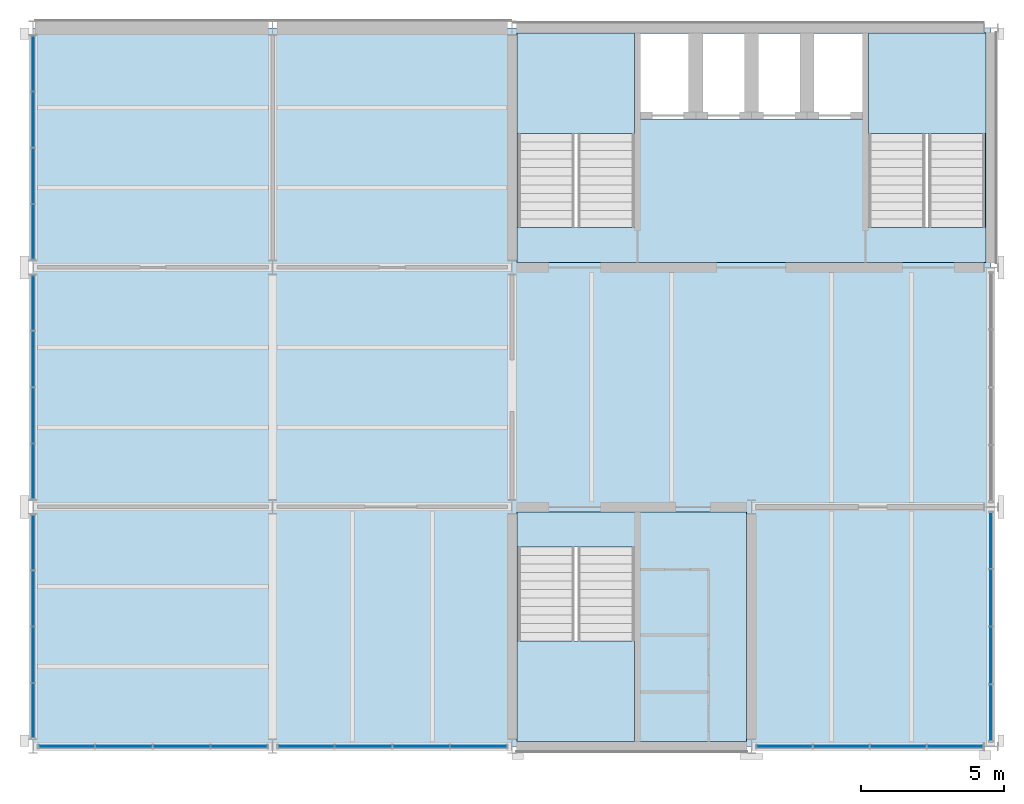
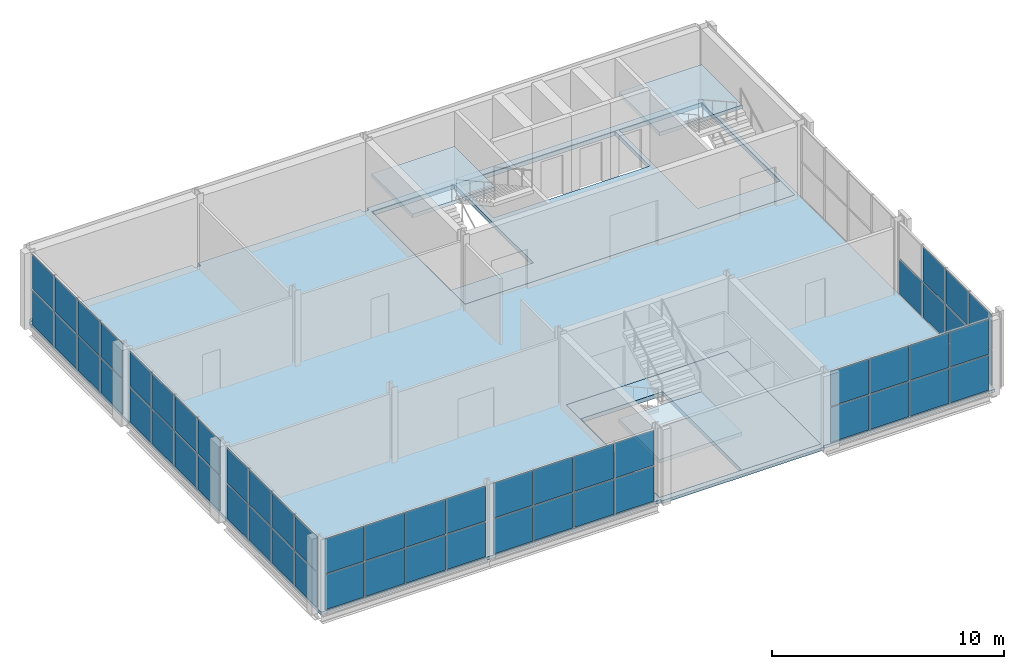
# One storey, part 7 of 12: 55 plates, 6 slabs, 10 elements without a shape of their own.
"""IFC4 building model written with IfcOpenShell, lengths in metres."""

from ifc_helpers import new_model, si_unit, direction, frame, origin, origin_2d, place, context, subcontext, project, spatial, polyline, rectangle, outline, extrude, material, layer, layer_set, type_object, element, aggregate, save


model = new_model("IFC4")

# Units and contexts
model_context = context("Model", 3, precision=1e-05, world=origin(), true_north=direction((0.0, 1.0)))
body_context = subcontext(model_context, "Body", "Model", "MODEL_VIEW")
ifc_project = project(units=[si_unit("LENGTHUNIT", "METRE"), si_unit("AREAUNIT", "SQUARE_METRE"), si_unit("VOLUMEUNIT", "CUBIC_METRE"), si_unit("PLANEANGLEUNIT", "RADIAN"), si_unit("MASSUNIT", "GRAM", prefix="KILO")], contexts=[model_context])

# Site, building, storey
site_placement = place(None, origin())
site = spatial("IfcSite", under=ifc_project, at=site_placement, CompositionType="ELEMENT")
building_placement = place(site_placement, origin())
building = spatial("IfcBuilding", under=site, at=building_placement, Name="Galleria Vessillo Department Store", CompositionType="ELEMENT")
storey_placement = place(building_placement, frame((0.0, 0.0, 39.60009765625)))
storey = spatial("IfcBuildingStorey", under=building, at=storey_placement, Name="L08", CompositionType="ELEMENT", Elevation=39.60009765625)

# Slab
ifc_material_1 = material(Name="Concrete C32/40 composite on steel deck", Category="concrete")
ifc_layer_1 = layer(ifc_material_1, 0.14990234375)
ifc_layer_set_1 = layer_set([ifc_layer_1], Name="Concrete C32/40 composite on steel deck")
slab_type_1 = type_object("IfcSlabType", Name="Composite floor slab 150 mm", PredefinedType="FLOOR", material=ifc_layer_set_1)
slab_1_placement = place(storey_placement, frame((0.0, 0.0, -0.14990234375)))
element("IfcSlab", 1, at=slab_1_placement, inside=storey, type_object=slab_type_1, Name="S-SLAB-L08-FLOOR", PredefinedType="FLOOR", context=body_context, shape_type="SweptSolid", body=[
    extrude(outline(polyline([(100.95068359375, 37.800048828125), (84.0, 37.800048828125), (84.0, 63.0), (84.150634765625, 63.0), (84.150634765625, 63.22509765625), (92.249267578125, 63.22509765625), (92.249267578125, 63.0), (92.550537109375, 63.0), (92.550537109375, 63.22509765625), (100.6494140625, 63.22509765625), (100.6494140625, 63.0), (100.95068359375, 63.0), (100.95068359375, 63.17431640625), (117.349609375, 63.17431640625), (117.349609375, 63.0), (117.60009765625, 63.0), (117.60009765625, 37.800048828125), (109.04931640625, 37.800048828125), (109.04931640625, 37.699951171875), (100.95068359375, 37.699951171875), (100.95068359375, 37.800048828125)]), holes=[polyline([(109.02490234375, 37.97509765625), (109.02490234375, 46.02490234375), (100.97509765625, 46.02490234375), (100.97509765625, 37.97509765625), (109.02490234375, 37.97509765625)]), polyline([(117.425048828125, 54.775146484375), (117.425048828125, 62.824951171875), (100.97509765625, 62.824951171875), (100.97509765625, 54.775146484375), (117.425048828125, 54.775146484375)])]), origin(), (0.0, 0.0, 1.0), 0.14990234375),
])

# Curtain wall, plates
ifc_material_2 = material(Name="Aluminium and glass curtain wall", Category="aluminium")
ifc_layer_2 = layer(ifc_material_2, 0.159912109375)
ifc_layer_set_2 = layer_set([ifc_layer_2], Name="Aluminium and glass curtain wall")
curtain_wall_type = type_object("IfcCurtainWallType", Name="Tower curtain wall CW4 2100 module", PredefinedType="NOTDEFINED", material=ifc_layer_set_2)
curtain_wall_1_placement = place(storey_placement, origin())
curtain_wall_1 = element("IfcCurtainWall", 2, at=curtain_wall_1_placement, inside=storey, type_object=curtain_wall_type, Name="Tower curtain wall CW4 2100 module TW-L08-01", PredefinedType="NOTDEFINED")
ifc_material_3 = material(Name="Glass laminated 44.2 low-e", Category="glass")
ifc_layer_3 = layer(ifc_material_3, 0.028076171875)
ifc_layer_set_3 = layer_set([ifc_layer_3], Name="Glass laminated 44.2 low-e")
plate_type_1 = type_object("IfcPlateType", Name="Laminated glass panel 28 mm", PredefinedType="CURTAIN_PANEL", material=ifc_layer_set_3)
plate_1_placement = place(storey_placement, frame((84.0, 39.052490234375, 1.955078125), z_axis=(0.0, 0.0, 1.0), x_axis=(0.0, 1.0, 0.0)))
plate_1 = element("IfcPlate", 3, at=plate_1_placement, type_object=plate_type_1, Name="CW4 panel 1.2", PredefinedType="CURTAIN_PANEL", context=body_context, shape_type="SweptSolid", body=[
    extrude(rectangle(XDim=1.885009765625, YDim=0.028076171875, at=origin_2d()), origin(), (0.0, 0.0, 1.0), 1.835205078125),
])
plate_2_placement = place(storey_placement, frame((84.0, 41.012451171875, 1.955078125), z_axis=(0.0, 0.0, 1.0), x_axis=(0.0, 1.0, 0.0)))
plate_2 = element("IfcPlate", 4, at=plate_2_placement, type_object=plate_type_1, Name="CW4 panel 2.2", PredefinedType="CURTAIN_PANEL", context=body_context, shape_type="SweptSolid", body=[
    extrude(rectangle(XDim=1.9150390625, YDim=0.028076171875, at=origin_2d()), origin(), (0.0, 0.0, 1.0), 1.835205078125),
])
plate_3_placement = place(storey_placement, frame((84.0, 42.987548828125, 1.955078125), z_axis=(0.0, 0.0, 1.0), x_axis=(0.0, 1.0, 0.0)))
plate_3 = element("IfcPlate", 5, at=plate_3_placement, type_object=plate_type_1, Name="CW4 panel 3.2", PredefinedType="CURTAIN_PANEL", context=body_context, shape_type="SweptSolid", body=[
    extrude(rectangle(XDim=1.9150390625, YDim=0.028076171875, at=origin_2d()), origin(), (0.0, 0.0, 1.0), 1.835205078125),
])
plate_4_placement = place(storey_placement, frame((84.0, 44.947509765625, 1.955078125), z_axis=(0.0, 0.0, 1.0), x_axis=(0.0, 1.0, 0.0)))
plate_4 = element("IfcPlate", 6, at=plate_4_placement, type_object=plate_type_1, Name="CW4 panel 4.2", PredefinedType="CURTAIN_PANEL", context=body_context, shape_type="SweptSolid", body=[
    extrude(rectangle(XDim=1.885009765625, YDim=0.028076171875, at=origin_2d()), origin(), (0.0, 0.0, 1.0), 1.835205078125),
])

curtain_wall_2_placement = place(storey_placement, origin())
curtain_wall_2 = element("IfcCurtainWall", 7, at=curtain_wall_2_placement, inside=storey, type_object=curtain_wall_type, Name="Tower curtain wall CW4 2100 module TW-L08-02", PredefinedType="NOTDEFINED")
plate_5_placement = place(storey_placement, frame((84.0, 47.452392578125, 1.955078125), z_axis=(0.0, 0.0, 1.0), x_axis=(0.0, 1.0, 0.0)))
plate_5 = element("IfcPlate", 8, at=plate_5_placement, type_object=plate_type_1, Name="CW4 panel 1.2", PredefinedType="CURTAIN_PANEL", context=body_context, shape_type="SweptSolid", body=[
    extrude(rectangle(XDim=1.885009765625, YDim=0.028076171875, at=origin_2d()), origin(), (0.0, 0.0, 1.0), 1.835205078125),
])
plate_6_placement = place(storey_placement, frame((84.0, 49.41259765625, 1.955078125), z_axis=(0.0, 0.0, 1.0), x_axis=(0.0, 1.0, 0.0)))
plate_6 = element("IfcPlate", 9, at=plate_6_placement, type_object=plate_type_1, Name="CW4 panel 2.2", PredefinedType="CURTAIN_PANEL", context=body_context, shape_type="SweptSolid", body=[
    extrude(rectangle(XDim=1.9150390625, YDim=0.028076171875, at=origin_2d()), origin(), (0.0, 0.0, 1.0), 1.835205078125),
])
plate_7_placement = place(storey_placement, frame((84.0, 51.387451171875, 1.955078125), z_axis=(0.0, 0.0, 1.0), x_axis=(0.0, 1.0, 0.0)))
plate_7 = element("IfcPlate", 10, at=plate_7_placement, type_object=plate_type_1, Name="CW4 panel 3.2", PredefinedType="CURTAIN_PANEL", context=body_context, shape_type="SweptSolid", body=[
    extrude(rectangle(XDim=1.9150390625, YDim=0.028076171875, at=origin_2d()), origin(), (0.0, 0.0, 1.0), 1.835205078125),
])
plate_8_placement = place(storey_placement, frame((84.0, 53.34765625, 1.955078125), z_axis=(0.0, 0.0, 1.0), x_axis=(0.0, 1.0, 0.0)))
plate_8 = element("IfcPlate", 11, at=plate_8_placement, type_object=plate_type_1, Name="CW4 panel 4.2", PredefinedType="CURTAIN_PANEL", context=body_context, shape_type="SweptSolid", body=[
    extrude(rectangle(XDim=1.885009765625, YDim=0.028076171875, at=origin_2d()), origin(), (0.0, 0.0, 1.0), 1.835205078125),
])

curtain_wall_3_placement = place(storey_placement, origin())
curtain_wall_3 = element("IfcCurtainWall", 12, at=curtain_wall_3_placement, inside=storey, type_object=curtain_wall_type, Name="Tower curtain wall CW4 2100 module TW-L08-03", PredefinedType="NOTDEFINED")
plate_9_placement = place(storey_placement, frame((84.0, 55.8525390625, 1.955078125), z_axis=(0.0, 0.0, 1.0), x_axis=(0.0, 1.0, 0.0)))
plate_9 = element("IfcPlate", 13, at=plate_9_placement, type_object=plate_type_1, Name="CW4 panel 1.2", PredefinedType="CURTAIN_PANEL", context=body_context, shape_type="SweptSolid", body=[
    extrude(rectangle(XDim=1.885009765625, YDim=0.028076171875, at=origin_2d()), origin(), (0.0, 0.0, 1.0), 1.835205078125),
])
plate_10_placement = place(storey_placement, frame((84.0, 57.8125, 1.955078125), z_axis=(0.0, 0.0, 1.0), x_axis=(0.0, 1.0, 0.0)))
plate_10 = element("IfcPlate", 14, at=plate_10_placement, type_object=plate_type_1, Name="CW4 panel 2.2", PredefinedType="CURTAIN_PANEL", context=body_context, shape_type="SweptSolid", body=[
    extrude(rectangle(XDim=1.9150390625, YDim=0.028076171875, at=origin_2d()), origin(), (0.0, 0.0, 1.0), 1.835205078125),
])
plate_11_placement = place(storey_placement, frame((84.0, 59.78759765625, 1.955078125), z_axis=(0.0, 0.0, 1.0), x_axis=(0.0, 1.0, 0.0)))
plate_11 = element("IfcPlate", 15, at=plate_11_placement, type_object=plate_type_1, Name="CW4 panel 3.2", PredefinedType="CURTAIN_PANEL", context=body_context, shape_type="SweptSolid", body=[
    extrude(rectangle(XDim=1.9150390625, YDim=0.028076171875, at=origin_2d()), origin(), (0.0, 0.0, 1.0), 1.835205078125),
])
plate_12_placement = place(storey_placement, frame((84.0, 61.74755859375, 1.955078125), z_axis=(0.0, 0.0, 1.0), x_axis=(0.0, 1.0, 0.0)))
plate_12 = element("IfcPlate", 16, at=plate_12_placement, type_object=plate_type_1, Name="CW4 panel 4.2", PredefinedType="CURTAIN_PANEL", context=body_context, shape_type="SweptSolid", body=[
    extrude(rectangle(XDim=1.885009765625, YDim=0.028076171875, at=origin_2d()), origin(), (0.0, 0.0, 1.0), 1.835205078125),
])

curtain_wall_4_placement = place(storey_placement, origin())
curtain_wall_4 = element("IfcCurtainWall", 17, at=curtain_wall_4_placement, inside=storey, type_object=curtain_wall_type, Name="Tower curtain wall CW4 2100 module TS-L08-01", PredefinedType="NOTDEFINED")
plate_13_placement = place(storey_placement, frame((85.177490234375, 37.800048828125, 1.955078125), z_axis=(0.0, 0.0, 1.0), x_axis=(1.0, 0.0, 0.0)))
plate_13 = element("IfcPlate", 18, at=plate_13_placement, type_object=plate_type_1, Name="CW4 panel 1.2", PredefinedType="CURTAIN_PANEL", context=body_context, shape_type="SweptSolid", body=[
    extrude(rectangle(XDim=1.93505859375, YDim=0.028076171875, at=origin_2d()), origin(), (0.0, 0.0, 1.0), 1.835205078125),
])
plate_14_placement = place(storey_placement, frame((87.1875, 37.800048828125, 1.955078125), z_axis=(0.0, 0.0, 1.0), x_axis=(1.0, 0.0, 0.0)))
plate_14 = element("IfcPlate", 19, at=plate_14_placement, type_object=plate_type_1, Name="CW4 panel 2.2", PredefinedType="CURTAIN_PANEL", context=body_context, shape_type="SweptSolid", body=[
    extrude(rectangle(XDim=1.965087890625, YDim=0.028076171875, at=origin_2d()), origin(), (0.0, 0.0, 1.0), 1.835205078125),
])
plate_15_placement = place(storey_placement, frame((89.21240234375, 37.800048828125, 1.955078125), z_axis=(0.0, 0.0, 1.0), x_axis=(1.0, 0.0, 0.0)))
plate_15 = element("IfcPlate", 20, at=plate_15_placement, type_object=plate_type_1, Name="CW4 panel 3.2", PredefinedType="CURTAIN_PANEL", context=body_context, shape_type="SweptSolid", body=[
    extrude(rectangle(XDim=1.965087890625, YDim=0.028076171875, at=origin_2d()), origin(), (0.0, 0.0, 1.0), 1.835205078125),
])
plate_16_placement = place(storey_placement, frame((91.222412109375, 37.800048828125, 1.955078125), z_axis=(0.0, 0.0, 1.0), x_axis=(1.0, 0.0, 0.0)))
plate_16 = element("IfcPlate", 21, at=plate_16_placement, type_object=plate_type_1, Name="CW4 panel 4.2", PredefinedType="CURTAIN_PANEL", context=body_context, shape_type="SweptSolid", body=[
    extrude(rectangle(XDim=1.93505859375, YDim=0.028076171875, at=origin_2d()), origin(), (0.0, 0.0, 1.0), 1.835205078125),
])

curtain_wall_5_placement = place(storey_placement, origin())
curtain_wall_5 = element("IfcCurtainWall", 22, at=curtain_wall_5_placement, inside=storey, type_object=curtain_wall_type, Name="Tower curtain wall CW4 2100 module TS-L08-02", PredefinedType="NOTDEFINED")
plate_17_placement = place(storey_placement, frame((93.577392578125, 37.800048828125, 1.955078125), z_axis=(0.0, 0.0, 1.0), x_axis=(1.0, 0.0, 0.0)))
plate_17 = element("IfcPlate", 23, at=plate_17_placement, type_object=plate_type_1, Name="CW4 panel 1.2", PredefinedType="CURTAIN_PANEL", context=body_context, shape_type="SweptSolid", body=[
    extrude(rectangle(XDim=1.93505859375, YDim=0.028076171875, at=origin_2d()), origin(), (0.0, 0.0, 1.0), 1.835205078125),
])
plate_18_placement = place(storey_placement, frame((95.58740234375, 37.800048828125, 1.955078125), z_axis=(0.0, 0.0, 1.0), x_axis=(1.0, 0.0, 0.0)))
plate_18 = element("IfcPlate", 24, at=plate_18_placement, type_object=plate_type_1, Name="CW4 panel 2.2", PredefinedType="CURTAIN_PANEL", context=body_context, shape_type="SweptSolid", body=[
    extrude(rectangle(XDim=1.965087890625, YDim=0.028076171875, at=origin_2d()), origin(), (0.0, 0.0, 1.0), 1.835205078125),
])
plate_19_placement = place(storey_placement, frame((97.612548828125, 37.800048828125, 1.955078125), z_axis=(0.0, 0.0, 1.0), x_axis=(1.0, 0.0, 0.0)))
plate_19 = element("IfcPlate", 25, at=plate_19_placement, type_object=plate_type_1, Name="CW4 panel 3.2", PredefinedType="CURTAIN_PANEL", context=body_context, shape_type="SweptSolid", body=[
    extrude(rectangle(XDim=1.965087890625, YDim=0.028076171875, at=origin_2d()), origin(), (0.0, 0.0, 1.0), 1.835205078125),
])
plate_20_placement = place(storey_placement, frame((99.62255859375, 37.800048828125, 1.955078125), z_axis=(0.0, 0.0, 1.0), x_axis=(1.0, 0.0, 0.0)))
plate_20 = element("IfcPlate", 26, at=plate_20_placement, type_object=plate_type_1, Name="CW4 panel 4.2", PredefinedType="CURTAIN_PANEL", context=body_context, shape_type="SweptSolid", body=[
    extrude(rectangle(XDim=1.93505859375, YDim=0.028076171875, at=origin_2d()), origin(), (0.0, 0.0, 1.0), 1.835205078125),
])

curtain_wall_6_placement = place(storey_placement, origin())
curtain_wall_6 = element("IfcCurtainWall", 27, at=curtain_wall_6_placement, inside=storey, type_object=curtain_wall_type, Name="Tower curtain wall CW4 2100 module TS-L08-03", PredefinedType="NOTDEFINED")
plate_21_placement = place(storey_placement, frame((110.364990234375, 37.800048828125, 1.955078125), z_axis=(0.0, 0.0, 1.0), x_axis=(1.0, 0.0, 0.0)))
plate_21 = element("IfcPlate", 28, at=plate_21_placement, type_object=plate_type_1, Name="CW4 panel 1.2", PredefinedType="CURTAIN_PANEL", context=body_context, shape_type="SweptSolid", body=[
    extrude(rectangle(XDim=1.91015625, YDim=0.028076171875, at=origin_2d()), origin(), (0.0, 0.0, 1.0), 1.835205078125),
])
plate_22_placement = place(storey_placement, frame((112.349853515625, 37.800048828125, 1.955078125), z_axis=(0.0, 0.0, 1.0), x_axis=(1.0, 0.0, 0.0)))
plate_22 = element("IfcPlate", 29, at=plate_22_placement, type_object=plate_type_1, Name="CW4 panel 2.2", PredefinedType="CURTAIN_PANEL", context=body_context, shape_type="SweptSolid", body=[
    extrude(rectangle(XDim=1.93994140625, YDim=0.028076171875, at=origin_2d()), origin(), (0.0, 0.0, 1.0), 1.835205078125),
])
plate_23_placement = place(storey_placement, frame((114.35009765625, 37.800048828125, 1.955078125), z_axis=(0.0, 0.0, 1.0), x_axis=(1.0, 0.0, 0.0)))
plate_23 = element("IfcPlate", 30, at=plate_23_placement, type_object=plate_type_1, Name="CW4 panel 3.2", PredefinedType="CURTAIN_PANEL", context=body_context, shape_type="SweptSolid", body=[
    extrude(rectangle(XDim=1.93994140625, YDim=0.028076171875, at=origin_2d()), origin(), (0.0, 0.0, 1.0), 1.835205078125),
])
plate_24_placement = place(storey_placement, frame((116.3349609375, 37.800048828125, 1.955078125), z_axis=(0.0, 0.0, 1.0), x_axis=(1.0, 0.0, 0.0)))
plate_24 = element("IfcPlate", 31, at=plate_24_placement, type_object=plate_type_1, Name="CW4 panel 4.2", PredefinedType="CURTAIN_PANEL", context=body_context, shape_type="SweptSolid", body=[
    extrude(rectangle(XDim=1.91015625, YDim=0.028076171875, at=origin_2d()), origin(), (0.0, 0.0, 1.0), 1.835205078125),
])

curtain_wall_7_placement = place(storey_placement, origin())
curtain_wall_7 = element("IfcCurtainWall", 32, at=curtain_wall_7_placement, inside=storey, type_object=curtain_wall_type, Name="Tower curtain wall CW4 2100 module TE-L08-01", PredefinedType="NOTDEFINED")
plate_25_placement = place(storey_placement, frame((117.60009765625, 38.9775390625, 1.955078125), z_axis=(0.0, 0.0, 1.0), x_axis=(0.0, 1.0, 0.0)))
plate_25 = element("IfcPlate", 33, at=plate_25_placement, type_object=plate_type_1, Name="CW4 panel 1.2", PredefinedType="CURTAIN_PANEL", context=body_context, shape_type="SweptSolid", body=[
    extrude(rectangle(XDim=1.93505859375, YDim=0.028076171875, at=origin_2d()), origin(), (0.0, 0.0, 1.0), 1.835205078125),
])
plate_26_placement = place(storey_placement, frame((117.60009765625, 40.987548828125, 1.955078125), z_axis=(0.0, 0.0, 1.0), x_axis=(0.0, 1.0, 0.0)))
plate_26 = element("IfcPlate", 34, at=plate_26_placement, type_object=plate_type_1, Name="CW4 panel 2.2", PredefinedType="CURTAIN_PANEL", context=body_context, shape_type="SweptSolid", body=[
    extrude(rectangle(XDim=1.965087890625, YDim=0.028076171875, at=origin_2d()), origin(), (0.0, 0.0, 1.0), 1.835205078125),
])
plate_27_placement = place(storey_placement, frame((117.60009765625, 43.012451171875, 1.955078125), z_axis=(0.0, 0.0, 1.0), x_axis=(0.0, 1.0, 0.0)))
plate_27 = element("IfcPlate", 35, at=plate_27_placement, type_object=plate_type_1, Name="CW4 panel 3.2", PredefinedType="CURTAIN_PANEL", context=body_context, shape_type="SweptSolid", body=[
    extrude(rectangle(XDim=1.965087890625, YDim=0.028076171875, at=origin_2d()), origin(), (0.0, 0.0, 1.0), 1.835205078125),
])

# Slabs
ifc_material_4 = material(Name="Concrete C32/40 reinforced", Category="concrete")
ifc_layer_4 = layer(ifc_material_4, 0.219970703125)
ifc_layer_set_4 = layer_set([ifc_layer_4], Name="Concrete C32/40 reinforced")
slab_type_2 = type_object("IfcSlabType", Name="Reinforced concrete core floor slab 220 mm", PredefinedType="FLOOR", material=ifc_layer_set_4)
slab_2_placement = place(storey_placement, frame((0.0, 0.0, -0.219970703125)))
element("IfcSlab", 36, at=slab_2_placement, inside=storey, type_object=slab_type_2, Name="S-SLAB-L08-CORE-TC", PredefinedType="FLOOR", context=body_context, shape_type="SweptSolid", body=[
    extrude(outline(polyline([(100.97509765625, 54.775146484375), (100.97509765625, 62.824951171875), (117.425048828125, 62.824951171875), (117.425048828125, 54.775146484375), (100.97509765625, 54.775146484375)]), holes=[polyline([(105.10009765625, 56.0), (105.10009765625, 62.800048828125), (101.0, 62.800048828125), (101.0, 56.0), (105.10009765625, 56.0)]), polyline([(113.300048828125, 56.0), (117.39990234375, 56.0), (117.39990234375, 62.800048828125), (113.300048828125, 62.800048828125), (113.300048828125, 56.0)]), polyline([(105.300048828125, 59.800048828125), (113.10009765625, 59.800048828125), (113.10009765625, 62.800048828125), (105.300048828125, 62.800048828125), (105.300048828125, 59.800048828125)])]), origin(), (0.0, 0.0, 1.0), 0.219970703125),
])
slab_3_placement = place(storey_placement, frame((0.0, 0.0, -0.219970703125)))
element("IfcSlab", 37, at=slab_3_placement, inside=storey, type_object=slab_type_2, Name="S-SLAB-L08-CORE-TS", PredefinedType="FLOOR", context=body_context, shape_type="SweptSolid", body=[
    extrude(outline(polyline([(100.97509765625, 37.97509765625), (100.97509765625, 46.02490234375), (109.02490234375, 46.02490234375), (109.02490234375, 37.97509765625), (100.97509765625, 37.97509765625)]), holes=[polyline([(105.10009765625, 44.800048828125), (101.0, 44.800048828125), (101.0, 38.0), (105.10009765625, 38.0), (105.10009765625, 44.800048828125)])]), origin(), (0.0, 0.0, 1.0), 0.219970703125),
])

# Stair, slab
ifc_material_5 = material(Name="Concrete C32/40", Category="concrete")
stair_type = type_object("IfcStairType", Name="Half-turn escape stair 2000 mm, 24 risers of 167 mm", PredefinedType="HALF_TURN_STAIR", material=ifc_material_5)
stair_1_placement = place(storey_placement, origin())
stair_1 = element("IfcStair", 38, at=stair_1_placement, inside=storey, type_object=stair_type, Name="Stair ST8 L08", PredefinedType="HALF_TURN_STAIR")
ifc_material_6 = material(Name="Concrete C32/40", Category="concrete")
ifc_layer_5 = layer(ifc_material_6, 0.199951171875)
ifc_layer_set_5 = layer_set([ifc_layer_5], Name="Concrete C32/40")
slab_type_3 = type_object("IfcSlabType", Name="Stair half landing 4125 x 3525 mm", PredefinedType="LANDING", material=ifc_layer_set_5)
slab_4_placement = place(storey_placement, frame((0.0, 0.0, 1.800048828125)))
slab_4 = element("IfcSlab", 39, at=slab_4_placement, type_object=slab_type_3, Name="ST8 landing 1", PredefinedType="LANDING", context=body_context, shape_type="SweptSolid", body=[
    extrude(outline(polyline([(100.97509765625, 59.300048828125), (100.97509765625, 62.824951171875), (105.10009765625, 62.824951171875), (105.10009765625, 59.300048828125), (100.97509765625, 59.300048828125)])), origin(), (0.0, 0.0, 1.0), 0.199951171875),
])
aggregate(stair_1, [slab_4])

stair_2_placement = place(storey_placement, origin())
stair_2 = element("IfcStair", 40, at=stair_2_placement, inside=storey, type_object=stair_type, Name="Stair ST9 L08", PredefinedType="HALF_TURN_STAIR")
slab_5_placement = place(storey_placement, frame((0.0, 0.0, 1.800048828125)))
slab_5 = element("IfcSlab", 41, at=slab_5_placement, type_object=slab_type_3, Name="ST9 landing 1", PredefinedType="LANDING", context=body_context, shape_type="SweptSolid", body=[
    extrude(outline(polyline([(113.300048828125, 59.300048828125), (113.300048828125, 62.824951171875), (117.425048828125, 62.824951171875), (117.425048828125, 59.300048828125), (113.300048828125, 59.300048828125)])), origin(), (0.0, 0.0, 1.0), 0.199951171875),
])
aggregate(stair_2, [slab_5])

stair_3_placement = place(storey_placement, origin())
stair_3 = element("IfcStair", 42, at=stair_3_placement, inside=storey, type_object=stair_type, Name="Stair ST12 L08", PredefinedType="HALF_TURN_STAIR")
slab_6_placement = place(storey_placement, frame((0.0, 0.0, 1.800048828125)))
slab_6 = element("IfcSlab", 43, at=slab_6_placement, type_object=slab_type_3, Name="ST12 landing 1", PredefinedType="LANDING", context=body_context, shape_type="SweptSolid", body=[
    extrude(outline(polyline([(100.97509765625, 37.97509765625), (100.97509765625, 41.5), (105.10009765625, 41.5), (105.10009765625, 37.97509765625), (100.97509765625, 37.97509765625)])), origin(), (0.0, 0.0, 1.0), 0.199951171875),
])
aggregate(stair_3, [slab_6])

# Plate
ifc_material_7 = material(Name="Limestone spandrel on aluminium tray", Category="masonry")
ifc_layer_6 = layer(ifc_material_7, 0.028076171875)
ifc_layer_set_6 = layer_set([ifc_layer_6], Name="Limestone spandrel on aluminium tray")
plate_type_2 = type_object("IfcPlateType", Name="Stone spandrel panel 28 mm", PredefinedType="CURTAIN_PANEL", material=ifc_layer_set_6)
plate_28_placement = place(storey_placement, frame((84.0, 39.052490234375, 0.06005859375), z_axis=(0.0, 0.0, 1.0), x_axis=(0.0, 1.0, 0.0)))
plate_28 = element("IfcPlate", 44, at=plate_28_placement, type_object=plate_type_2, Name="CW4 panel 1.1", PredefinedType="CURTAIN_PANEL", context=body_context, shape_type="SweptSolid", body=[
    extrude(rectangle(XDim=1.885009765625, YDim=0.028076171875, at=origin_2d()), origin(), (0.0, 0.0, 1.0), 1.8349609375),
])

plate_29_placement = place(storey_placement, frame((84.0, 41.012451171875, 0.06005859375), z_axis=(0.0, 0.0, 1.0), x_axis=(0.0, 1.0, 0.0)))
plate_29 = element("IfcPlate", 45, at=plate_29_placement, type_object=plate_type_2, Name="CW4 panel 2.1", PredefinedType="CURTAIN_PANEL", context=body_context, shape_type="SweptSolid", body=[
    extrude(rectangle(XDim=1.9150390625, YDim=0.028076171875, at=origin_2d()), origin(), (0.0, 0.0, 1.0), 1.8349609375),
])

plate_30_placement = place(storey_placement, frame((84.0, 42.987548828125, 0.06005859375), z_axis=(0.0, 0.0, 1.0), x_axis=(0.0, 1.0, 0.0)))
plate_30 = element("IfcPlate", 46, at=plate_30_placement, type_object=plate_type_2, Name="CW4 panel 3.1", PredefinedType="CURTAIN_PANEL", context=body_context, shape_type="SweptSolid", body=[
    extrude(rectangle(XDim=1.9150390625, YDim=0.028076171875, at=origin_2d()), origin(), (0.0, 0.0, 1.0), 1.8349609375),
])

plate_31_placement = place(storey_placement, frame((84.0, 44.947509765625, 0.06005859375), z_axis=(0.0, 0.0, 1.0), x_axis=(0.0, 1.0, 0.0)))
plate_31 = element("IfcPlate", 47, at=plate_31_placement, type_object=plate_type_2, Name="CW4 panel 4.1", PredefinedType="CURTAIN_PANEL", context=body_context, shape_type="SweptSolid", body=[
    extrude(rectangle(XDim=1.885009765625, YDim=0.028076171875, at=origin_2d()), origin(), (0.0, 0.0, 1.0), 1.8349609375),
])

aggregate(curtain_wall_1, [plate_28, plate_1, plate_29, plate_2, plate_30, plate_3, plate_31, plate_4])

plate_32_placement = place(storey_placement, frame((84.0, 47.452392578125, 0.06005859375), z_axis=(0.0, 0.0, 1.0), x_axis=(0.0, 1.0, 0.0)))
plate_32 = element("IfcPlate", 48, at=plate_32_placement, type_object=plate_type_2, Name="CW4 panel 1.1", PredefinedType="CURTAIN_PANEL", context=body_context, shape_type="SweptSolid", body=[
    extrude(rectangle(XDim=1.885009765625, YDim=0.028076171875, at=origin_2d()), origin(), (0.0, 0.0, 1.0), 1.8349609375),
])

plate_33_placement = place(storey_placement, frame((84.0, 49.41259765625, 0.06005859375), z_axis=(0.0, 0.0, 1.0), x_axis=(0.0, 1.0, 0.0)))
plate_33 = element("IfcPlate", 49, at=plate_33_placement, type_object=plate_type_2, Name="CW4 panel 2.1", PredefinedType="CURTAIN_PANEL", context=body_context, shape_type="SweptSolid", body=[
    extrude(rectangle(XDim=1.9150390625, YDim=0.028076171875, at=origin_2d()), origin(), (0.0, 0.0, 1.0), 1.8349609375),
])

plate_34_placement = place(storey_placement, frame((84.0, 51.387451171875, 0.06005859375), z_axis=(0.0, 0.0, 1.0), x_axis=(0.0, 1.0, 0.0)))
plate_34 = element("IfcPlate", 50, at=plate_34_placement, type_object=plate_type_2, Name="CW4 panel 3.1", PredefinedType="CURTAIN_PANEL", context=body_context, shape_type="SweptSolid", body=[
    extrude(rectangle(XDim=1.9150390625, YDim=0.028076171875, at=origin_2d()), origin(), (0.0, 0.0, 1.0), 1.8349609375),
])

plate_35_placement = place(storey_placement, frame((84.0, 53.34765625, 0.06005859375), z_axis=(0.0, 0.0, 1.0), x_axis=(0.0, 1.0, 0.0)))
plate_35 = element("IfcPlate", 51, at=plate_35_placement, type_object=plate_type_2, Name="CW4 panel 4.1", PredefinedType="CURTAIN_PANEL", context=body_context, shape_type="SweptSolid", body=[
    extrude(rectangle(XDim=1.885009765625, YDim=0.028076171875, at=origin_2d()), origin(), (0.0, 0.0, 1.0), 1.8349609375),
])

aggregate(curtain_wall_2, [plate_32, plate_5, plate_33, plate_6, plate_34, plate_7, plate_35, plate_8])

plate_36_placement = place(storey_placement, frame((84.0, 55.8525390625, 0.06005859375), z_axis=(0.0, 0.0, 1.0), x_axis=(0.0, 1.0, 0.0)))
plate_36 = element("IfcPlate", 52, at=plate_36_placement, type_object=plate_type_2, Name="CW4 panel 1.1", PredefinedType="CURTAIN_PANEL", context=body_context, shape_type="SweptSolid", body=[
    extrude(rectangle(XDim=1.885009765625, YDim=0.028076171875, at=origin_2d()), origin(), (0.0, 0.0, 1.0), 1.8349609375),
])

plate_37_placement = place(storey_placement, frame((84.0, 57.8125, 0.06005859375), z_axis=(0.0, 0.0, 1.0), x_axis=(0.0, 1.0, 0.0)))
plate_37 = element("IfcPlate", 53, at=plate_37_placement, type_object=plate_type_2, Name="CW4 panel 2.1", PredefinedType="CURTAIN_PANEL", context=body_context, shape_type="SweptSolid", body=[
    extrude(rectangle(XDim=1.9150390625, YDim=0.028076171875, at=origin_2d()), origin(), (0.0, 0.0, 1.0), 1.8349609375),
])

plate_38_placement = place(storey_placement, frame((84.0, 59.78759765625, 0.06005859375), z_axis=(0.0, 0.0, 1.0), x_axis=(0.0, 1.0, 0.0)))
plate_38 = element("IfcPlate", 54, at=plate_38_placement, type_object=plate_type_2, Name="CW4 panel 3.1", PredefinedType="CURTAIN_PANEL", context=body_context, shape_type="SweptSolid", body=[
    extrude(rectangle(XDim=1.9150390625, YDim=0.028076171875, at=origin_2d()), origin(), (0.0, 0.0, 1.0), 1.8349609375),
])

plate_39_placement = place(storey_placement, frame((84.0, 61.74755859375, 0.06005859375), z_axis=(0.0, 0.0, 1.0), x_axis=(0.0, 1.0, 0.0)))
plate_39 = element("IfcPlate", 55, at=plate_39_placement, type_object=plate_type_2, Name="CW4 panel 4.1", PredefinedType="CURTAIN_PANEL", context=body_context, shape_type="SweptSolid", body=[
    extrude(rectangle(XDim=1.885009765625, YDim=0.028076171875, at=origin_2d()), origin(), (0.0, 0.0, 1.0), 1.8349609375),
])

aggregate(curtain_wall_3, [plate_36, plate_9, plate_37, plate_10, plate_38, plate_11, plate_39, plate_12])

plate_40_placement = place(storey_placement, frame((85.177490234375, 37.800048828125, 0.06005859375), z_axis=(0.0, 0.0, 1.0), x_axis=(1.0, 0.0, 0.0)))
plate_40 = element("IfcPlate", 56, at=plate_40_placement, type_object=plate_type_2, Name="CW4 panel 1.1", PredefinedType="CURTAIN_PANEL", context=body_context, shape_type="SweptSolid", body=[
    extrude(rectangle(XDim=1.93505859375, YDim=0.028076171875, at=origin_2d()), origin(), (0.0, 0.0, 1.0), 1.8349609375),
])

plate_41_placement = place(storey_placement, frame((87.1875, 37.800048828125, 0.06005859375), z_axis=(0.0, 0.0, 1.0), x_axis=(1.0, 0.0, 0.0)))
plate_41 = element("IfcPlate", 57, at=plate_41_placement, type_object=plate_type_2, Name="CW4 panel 2.1", PredefinedType="CURTAIN_PANEL", context=body_context, shape_type="SweptSolid", body=[
    extrude(rectangle(XDim=1.965087890625, YDim=0.028076171875, at=origin_2d()), origin(), (0.0, 0.0, 1.0), 1.8349609375),
])

plate_42_placement = place(storey_placement, frame((89.21240234375, 37.800048828125, 0.06005859375), z_axis=(0.0, 0.0, 1.0), x_axis=(1.0, 0.0, 0.0)))
plate_42 = element("IfcPlate", 58, at=plate_42_placement, type_object=plate_type_2, Name="CW4 panel 3.1", PredefinedType="CURTAIN_PANEL", context=body_context, shape_type="SweptSolid", body=[
    extrude(rectangle(XDim=1.965087890625, YDim=0.028076171875, at=origin_2d()), origin(), (0.0, 0.0, 1.0), 1.8349609375),
])

plate_43_placement = place(storey_placement, frame((91.222412109375, 37.800048828125, 0.06005859375), z_axis=(0.0, 0.0, 1.0), x_axis=(1.0, 0.0, 0.0)))
plate_43 = element("IfcPlate", 59, at=plate_43_placement, type_object=plate_type_2, Name="CW4 panel 4.1", PredefinedType="CURTAIN_PANEL", context=body_context, shape_type="SweptSolid", body=[
    extrude(rectangle(XDim=1.93505859375, YDim=0.028076171875, at=origin_2d()), origin(), (0.0, 0.0, 1.0), 1.8349609375),
])

aggregate(curtain_wall_4, [plate_40, plate_13, plate_41, plate_14, plate_42, plate_15, plate_43, plate_16])

plate_44_placement = place(storey_placement, frame((93.577392578125, 37.800048828125, 0.06005859375), z_axis=(0.0, 0.0, 1.0), x_axis=(1.0, 0.0, 0.0)))
plate_44 = element("IfcPlate", 60, at=plate_44_placement, type_object=plate_type_2, Name="CW4 panel 1.1", PredefinedType="CURTAIN_PANEL", context=body_context, shape_type="SweptSolid", body=[
    extrude(rectangle(XDim=1.93505859375, YDim=0.028076171875, at=origin_2d()), origin(), (0.0, 0.0, 1.0), 1.8349609375),
])

plate_45_placement = place(storey_placement, frame((95.58740234375, 37.800048828125, 0.06005859375), z_axis=(0.0, 0.0, 1.0), x_axis=(1.0, 0.0, 0.0)))
plate_45 = element("IfcPlate", 61, at=plate_45_placement, type_object=plate_type_2, Name="CW4 panel 2.1", PredefinedType="CURTAIN_PANEL", context=body_context, shape_type="SweptSolid", body=[
    extrude(rectangle(XDim=1.965087890625, YDim=0.028076171875, at=origin_2d()), origin(), (0.0, 0.0, 1.0), 1.8349609375),
])

plate_46_placement = place(storey_placement, frame((97.612548828125, 37.800048828125, 0.06005859375), z_axis=(0.0, 0.0, 1.0), x_axis=(1.0, 0.0, 0.0)))
plate_46 = element("IfcPlate", 62, at=plate_46_placement, type_object=plate_type_2, Name="CW4 panel 3.1", PredefinedType="CURTAIN_PANEL", context=body_context, shape_type="SweptSolid", body=[
    extrude(rectangle(XDim=1.965087890625, YDim=0.028076171875, at=origin_2d()), origin(), (0.0, 0.0, 1.0), 1.8349609375),
])

plate_47_placement = place(storey_placement, frame((99.62255859375, 37.800048828125, 0.06005859375), z_axis=(0.0, 0.0, 1.0), x_axis=(1.0, 0.0, 0.0)))
plate_47 = element("IfcPlate", 63, at=plate_47_placement, type_object=plate_type_2, Name="CW4 panel 4.1", PredefinedType="CURTAIN_PANEL", context=body_context, shape_type="SweptSolid", body=[
    extrude(rectangle(XDim=1.93505859375, YDim=0.028076171875, at=origin_2d()), origin(), (0.0, 0.0, 1.0), 1.8349609375),
])

aggregate(curtain_wall_5, [plate_44, plate_17, plate_45, plate_18, plate_46, plate_19, plate_47, plate_20])

plate_48_placement = place(storey_placement, frame((110.364990234375, 37.800048828125, 0.06005859375), z_axis=(0.0, 0.0, 1.0), x_axis=(1.0, 0.0, 0.0)))
plate_48 = element("IfcPlate", 64, at=plate_48_placement, type_object=plate_type_2, Name="CW4 panel 1.1", PredefinedType="CURTAIN_PANEL", context=body_context, shape_type="SweptSolid", body=[
    extrude(rectangle(XDim=1.91015625, YDim=0.028076171875, at=origin_2d()), origin(), (0.0, 0.0, 1.0), 1.8349609375),
])

plate_49_placement = place(storey_placement, frame((112.349853515625, 37.800048828125, 0.06005859375), z_axis=(0.0, 0.0, 1.0), x_axis=(1.0, 0.0, 0.0)))
plate_49 = element("IfcPlate", 65, at=plate_49_placement, type_object=plate_type_2, Name="CW4 panel 2.1", PredefinedType="CURTAIN_PANEL", context=body_context, shape_type="SweptSolid", body=[
    extrude(rectangle(XDim=1.93994140625, YDim=0.028076171875, at=origin_2d()), origin(), (0.0, 0.0, 1.0), 1.8349609375),
])

plate_50_placement = place(storey_placement, frame((114.35009765625, 37.800048828125, 0.06005859375), z_axis=(0.0, 0.0, 1.0), x_axis=(1.0, 0.0, 0.0)))
plate_50 = element("IfcPlate", 66, at=plate_50_placement, type_object=plate_type_2, Name="CW4 panel 3.1", PredefinedType="CURTAIN_PANEL", context=body_context, shape_type="SweptSolid", body=[
    extrude(rectangle(XDim=1.93994140625, YDim=0.028076171875, at=origin_2d()), origin(), (0.0, 0.0, 1.0), 1.8349609375),
])

plate_51_placement = place(storey_placement, frame((116.3349609375, 37.800048828125, 0.06005859375), z_axis=(0.0, 0.0, 1.0), x_axis=(1.0, 0.0, 0.0)))
plate_51 = element("IfcPlate", 67, at=plate_51_placement, type_object=plate_type_2, Name="CW4 panel 4.1", PredefinedType="CURTAIN_PANEL", context=body_context, shape_type="SweptSolid", body=[
    extrude(rectangle(XDim=1.91015625, YDim=0.028076171875, at=origin_2d()), origin(), (0.0, 0.0, 1.0), 1.8349609375),
])

aggregate(curtain_wall_6, [plate_48, plate_21, plate_49, plate_22, plate_50, plate_23, plate_51, plate_24])

plate_52_placement = place(storey_placement, frame((117.60009765625, 38.9775390625, 0.06005859375), z_axis=(0.0, 0.0, 1.0), x_axis=(0.0, 1.0, 0.0)))
plate_52 = element("IfcPlate", 68, at=plate_52_placement, type_object=plate_type_2, Name="CW4 panel 1.1", PredefinedType="CURTAIN_PANEL", context=body_context, shape_type="SweptSolid", body=[
    extrude(rectangle(XDim=1.93505859375, YDim=0.028076171875, at=origin_2d()), origin(), (0.0, 0.0, 1.0), 1.8349609375),
])

plate_53_placement = place(storey_placement, frame((117.60009765625, 40.987548828125, 0.06005859375), z_axis=(0.0, 0.0, 1.0), x_axis=(0.0, 1.0, 0.0)))
plate_53 = element("IfcPlate", 69, at=plate_53_placement, type_object=plate_type_2, Name="CW4 panel 2.1", PredefinedType="CURTAIN_PANEL", context=body_context, shape_type="SweptSolid", body=[
    extrude(rectangle(XDim=1.965087890625, YDim=0.028076171875, at=origin_2d()), origin(), (0.0, 0.0, 1.0), 1.8349609375),
])

plate_54_placement = place(storey_placement, frame((117.60009765625, 43.012451171875, 0.06005859375), z_axis=(0.0, 0.0, 1.0), x_axis=(0.0, 1.0, 0.0)))
plate_54 = element("IfcPlate", 70, at=plate_54_placement, type_object=plate_type_2, Name="CW4 panel 3.1", PredefinedType="CURTAIN_PANEL", context=body_context, shape_type="SweptSolid", body=[
    extrude(rectangle(XDim=1.965087890625, YDim=0.028076171875, at=origin_2d()), origin(), (0.0, 0.0, 1.0), 1.8349609375),
])

plate_55_placement = place(storey_placement, frame((117.60009765625, 45.0224609375, 0.06005859375), z_axis=(0.0, 0.0, 1.0), x_axis=(0.0, 1.0, 0.0)))
plate_55 = element("IfcPlate", 71, at=plate_55_placement, type_object=plate_type_2, Name="CW4 panel 4.1", PredefinedType="CURTAIN_PANEL", context=body_context, shape_type="SweptSolid", body=[
    extrude(rectangle(XDim=1.93505859375, YDim=0.028076171875, at=origin_2d()), origin(), (0.0, 0.0, 1.0), 1.8349609375),
])

aggregate(curtain_wall_7, [plate_52, plate_25, plate_53, plate_26, plate_54, plate_27, plate_55])

save(model, "model.ifc")
